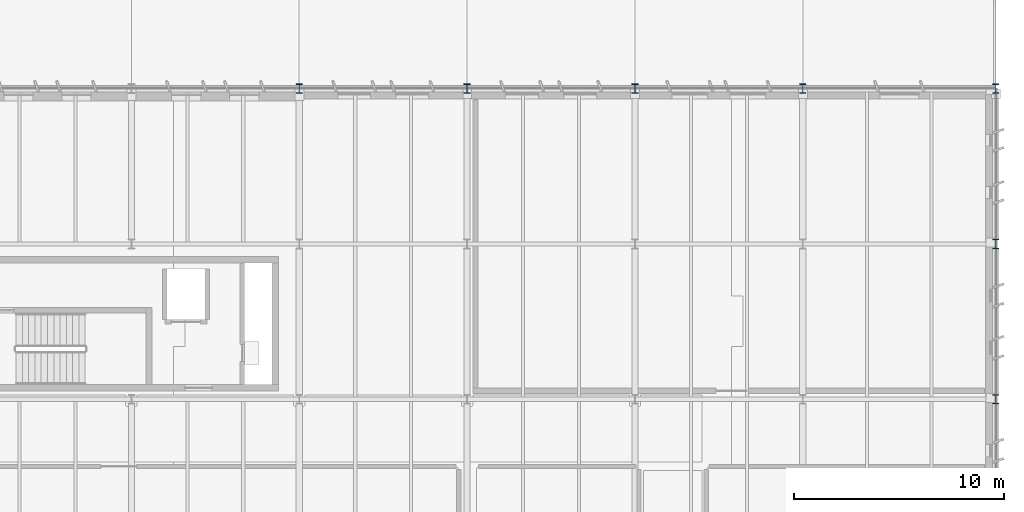
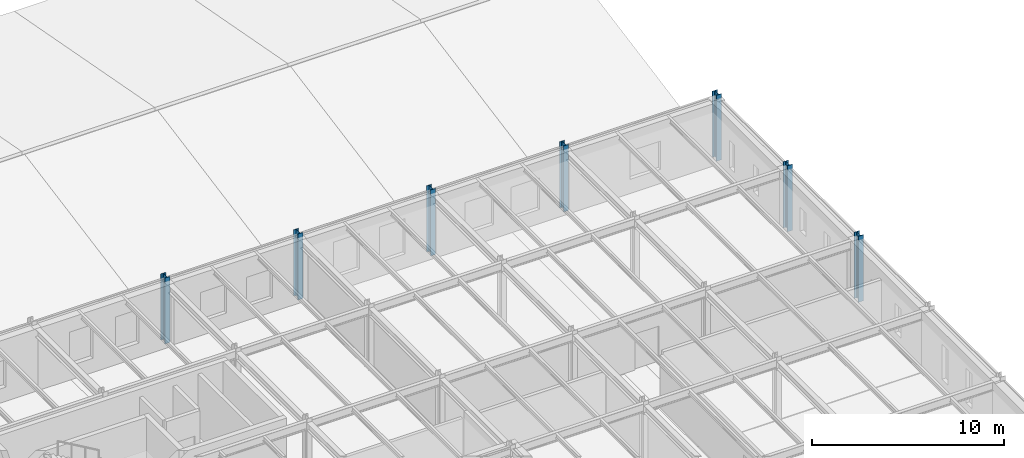
# One storey, part 10 of 63: 7 columns.
"""IFC4 building model written with IfcOpenShell, lengths in metres."""

from ifc_helpers import new_model, si_unit, direction, frame, origin, origin_2d, place, context, subcontext, project, spatial, i_section, extrude, material, material_profile, profile_set, type_object, element, save


model = new_model("IFC4")

# Units and contexts
model_context = context("Model", 3, precision=1e-05, world=origin(), true_north=direction((0.0, 1.0)))
body_context = subcontext(model_context, "Body", "Model", "MODEL_VIEW")
ifc_project = project(units=[si_unit("LENGTHUNIT", "METRE"), si_unit("AREAUNIT", "SQUARE_METRE"), si_unit("VOLUMEUNIT", "CUBIC_METRE"), si_unit("PLANEANGLEUNIT", "RADIAN"), si_unit("MASSUNIT", "GRAM", prefix="KILO")], contexts=[model_context])

# Site, building, storey
site_placement = place(None, origin())
site = spatial("IfcSite", under=ifc_project, at=site_placement, CompositionType="ELEMENT")
building_placement = place(site_placement, origin())
building = spatial("IfcBuilding", under=site, at=building_placement, Name="Valkorina Park Police Headquarters", CompositionType="ELEMENT")
storey_placement = place(building_placement, frame((0.0, 0.0, 9.89990234375)))
storey = spatial("IfcBuildingStorey", under=building, at=storey_placement, Name="L03", CompositionType="ELEMENT", Elevation=9.89990234375)

# Columns
ifc_material = material(Name="Steel S355", Category="steel")
ifc_material_profile = material_profile(ifc_material, i_section(OverallWidth=0.300048828125, OverallDepth=0.449951171875, WebThickness=0.013916015625, FlangeThickness=0.02587890625, FilletRadius=0.027099609375, at=origin_2d()), Name="HEB 450")
ifc_profile_set = profile_set([ifc_material_profile], Name="Steel S355")
column_type = type_object("IfcColumnType", Name="COL-S355-HEB450-EXT", PredefinedType="COLUMN", material=ifc_profile_set)
for number, where, z_axis, x_axis, name in (
    (1, (128.800048828125, 81.39990234375, 0.0), (0.0, 0.0, 1.0), (1.0, 0.0, 0.0), "L03 Column 0819"),
    (2, (136.800048828125, 81.39990234375, 0.0), (0.0, 0.0, 1.0), (1.0, 0.0, 0.0), "L03 Column 0827"),
    (3, (144.800048828125, 81.39990234375, 0.0), (0.0, 0.0, 1.0), (1.0, 0.0, 0.0), "L03 Column 0835"),
    (4, (152.800048828125, 81.39990234375, 0.0), (0.0, 0.0, 1.0), (1.0, 0.0, 0.0), "L03 Column 0843"),
    (5, (162.0, 66.60009765625, 0.0), (0.0, 0.0, 1.0), (1.0, 0.0, 0.0), "L03 Column 0849"),
    (6, (162.0, 74.0, 0.0), (0.0, 0.0, 1.0), (1.0, 0.0, 0.0), "L03 Column 0850"),
    (7, (162.0, 81.39990234375, 0.0), (0.0, 0.0, 1.0), (1.0, 0.0, 0.0), "L03 Column 0851"),
):
    element("IfcColumn", number, at=place(storey_placement, frame(where, z_axis=z_axis, x_axis=x_axis)), inside=storey, type_object=column_type, Name=name, PredefinedType="COLUMN", context=body_context, shape_type="SweptSolid", body=[
        extrude(i_section(OverallWidth=0.300048828125, OverallDepth=0.449951171875, WebThickness=0.013916015625, FlangeThickness=0.02587890625, FilletRadius=0.027099609375, at=origin_2d()), origin(), (0.0, 0.0, 1.0), 4.2001953125),
    ])

save(model, "model.ifc")
